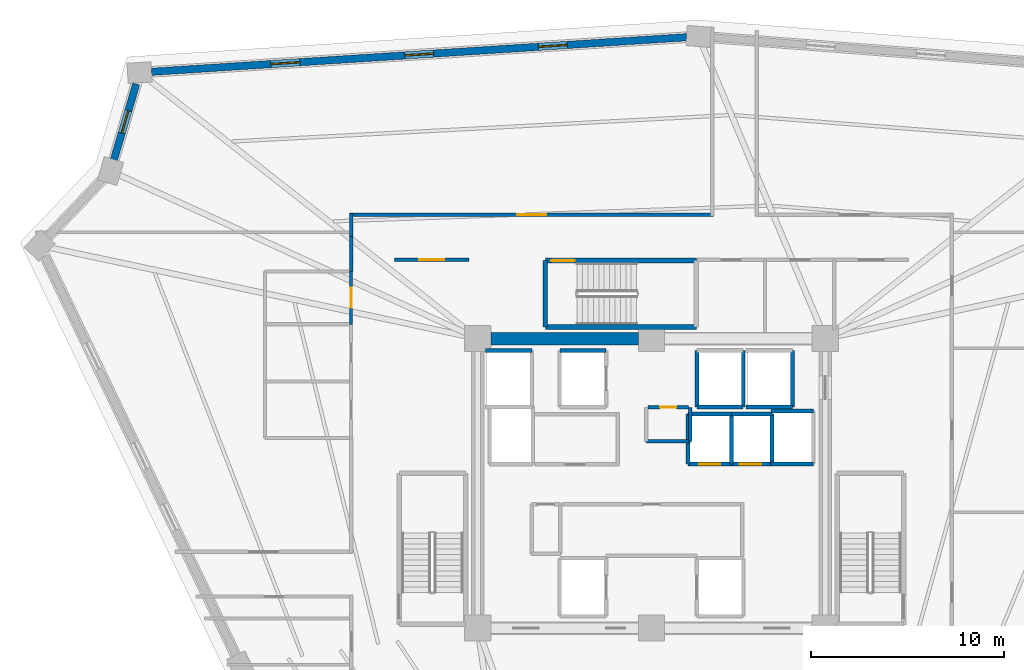
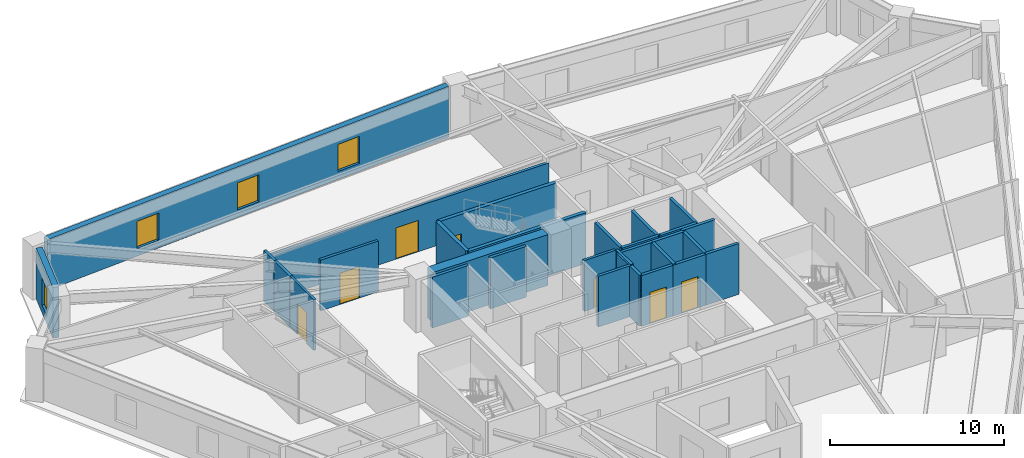
# One storey, part 5 of 8: 30 walls, 7 doors, 4 windows, 11 openings.
"""IFC4 building model written with IfcOpenShell, lengths in metres."""

import ifcopenshell
import ifcopenshell.guid

model = None  # the IFC model being written
_history = None  # IfcOwnerHistory: only IFC2X3 demands one
_inside = {}  # id of a spatial element -> (the spatial element, [elements in it])
_under = {}  # id of a project, library or spatial element -> (it, [spatial elements below it])
_declared = {}  # id of a project -> (the project, [libraries it declares])
_typed = {}  # id of a type object -> (the type object, [elements of that type])
_made_of = {}  # id of a material, layer set ... -> (it, [elements and type objects made of it])


def new_model(schema):
    """Start an empty IFC model of exactly this schema.

    Asked for "IFC4X3", IfcOpenShell would pick the latest addendum, in which some entities
    have other attributes; the version numbers below select the first issue.
    IFC2X3 requires an IfcOwnerHistory on every rooted entity: one is made here for all.
    """
    global model, _history
    if schema == "IFC4X3":
        model = ifcopenshell.file(schema_version=(4, 3, 0, 0))
    else:
        model = ifcopenshell.file(schema=schema)
    _inside.clear()
    _under.clear()
    _declared.clear()
    _typed.clear()
    _made_of.clear()
    _history = None
    if model.schema == "IFC2X3":
        org = make("IfcOrganization", Name="unknown")
        user = make(
            "IfcPersonAndOrganization",
            ThePerson=make("IfcPerson", FamilyName="unknown"),
            TheOrganization=org,
        )
        app = make(
            "IfcApplication",
            ApplicationDeveloper=org,
            Version="unknown",
            ApplicationFullName="unknown",
            ApplicationIdentifier="unknown",
        )
        _history = make(
            "IfcOwnerHistory",
            OwningUser=user,
            OwningApplication=app,
            ChangeAction="ADDED",
            CreationDate=0,
        )
    return model


def make(cls, **values):
    """One entity of the class cls with the attributes given. An attribute that is None is left unset."""
    return model.create_entity(
        cls, **{name: value for name, value in values.items() if value is not None}
    )


def rooted(cls, **values):
    """An entity with a GlobalId (a new one), such as an element, a storey or a relation."""
    return make(cls, GlobalId=ifcopenshell.guid.new(), OwnerHistory=_history, **values)


def si_unit(unit_type, name, prefix=None):
    """IfcSIUnit, for example si_unit("LENGTHUNIT", "METRE", prefix="MILLI")."""
    return make("IfcSIUnit", UnitType=unit_type, Prefix=prefix, Name=name)


def assignment(units):
    """IfcUnitAssignment: the units of a project."""
    return None if units is None else make("IfcUnitAssignment", Units=units)


def point(xyz):
    """IfcCartesianPoint."""
    return None if xyz is None else make("IfcCartesianPoint", Coordinates=xyz)


def direction(xyz):
    """IfcDirection."""
    return None if xyz is None else make("IfcDirection", DirectionRatios=xyz)


def frame(location, z_axis=None, x_axis=None):
    """IfcAxis2Placement3D, a coordinate frame: its origin and axes. An axis left out is left unset."""
    return make(
        "IfcAxis2Placement3D",
        Location=point(location),
        Axis=direction(z_axis),
        RefDirection=direction(x_axis),
    )


def frame_2d(location, x_axis=None):
    """IfcAxis2Placement2D, a coordinate frame in the plane: its origin and x axis."""
    return make(
        "IfcAxis2Placement2D", Location=point(location), RefDirection=direction(x_axis)
    )


def origin():
    """The frame at (0, 0, 0) with its axes left unset."""
    return frame((0.0, 0.0, 0.0))


def place(relative_to, where):
    """IfcLocalPlacement: puts the frame where relative to a parent placement (None: the world)."""
    return make(
        "IfcLocalPlacement", PlacementRelTo=relative_to, RelativePlacement=where
    )


def context(
    kind, dimensions, precision=None, world=None, true_north=None, identifier=None
):
    """IfcGeometricRepresentationContext, for example the 3D "Model" context."""
    return make(
        "IfcGeometricRepresentationContext",
        ContextIdentifier=identifier,
        ContextType=kind,
        CoordinateSpaceDimension=dimensions,
        Precision=precision,
        WorldCoordinateSystem=world,
        TrueNorth=true_north,
    )


def subcontext(parent, identifier, kind, view, scale=None):
    """IfcGeometricRepresentationSubContext, for example "Body" below "Model"."""
    return make(
        "IfcGeometricRepresentationSubContext",
        ContextIdentifier=identifier,
        ContextType=kind,
        ParentContext=parent,
        TargetScale=scale,
        TargetView=view,
    )


def project(units=None, contexts=None):
    """IfcProject with its units and contexts."""
    return rooted(
        "IfcProject",
        Name="project",
        RepresentationContexts=contexts,
        UnitsInContext=assignment(units),
    )


def spatial(cls, under=None, at=None, **own):
    """A site, building, storey or space (cls), placed at a placement, below another one or the project."""
    s = rooted(cls, ObjectPlacement=at, **own)
    if under is not None:
        _under.setdefault(under.id(), (under, []))[1].append(s)
    return s


def profile(cls, at=None, kind="AREA", **sizes):
    """A parametric profile (cls). Its sizes go by their IFC names, for example OverallWidth=200.0."""
    return make(cls, ProfileType=kind, Position=at, **sizes)


def rectangle(**sizes):
    """IfcRectangleProfileDef."""
    return profile("IfcRectangleProfileDef", **sizes)


def extrude(swept, where, along, depth):
    """IfcExtrudedAreaSolid: the profile swept, set in the frame where, extruded along a direction by depth."""
    return make(
        "IfcExtrudedAreaSolid",
        SweptArea=swept,
        Position=where,
        ExtrudedDirection=direction(along),
        Depth=depth,
    )


def shape(context_of_items, identifier, shape_type, items):
    """IfcShapeRepresentation: the items that make up one representation, for example the "Body"."""
    return make(
        "IfcShapeRepresentation",
        ContextOfItems=context_of_items,
        RepresentationIdentifier=identifier,
        RepresentationType=shape_type,
        Items=items,
    )


def source(mapping_origin, context_of_items, identifier, shape_type, items):
    """IfcRepresentationMap: a shape defined once, which mapped items show again and again."""
    return make(
        "IfcRepresentationMap",
        MappingOrigin=mapping_origin,
        MappedRepresentation=shape(context_of_items, identifier, shape_type, items),
    )


def transform(
    local_origin,
    x_axis=None,
    y_axis=None,
    z_axis=None,
    scale=None,
    scale2=None,
    scale3=None,
    uniform=True,
):
    """IfcCartesianTransformationOperator3D, or its non-uniform kind. x_axis, y_axis, z_axis: its Axis1, 2, 3."""
    if uniform:
        return make(
            "IfcCartesianTransformationOperator3D",
            Axis1=direction(x_axis),
            Axis2=direction(y_axis),
            LocalOrigin=point(local_origin),
            Scale=scale,
            Axis3=direction(z_axis),
        )
    return make(
        "IfcCartesianTransformationOperator3DnonUniform",
        Axis1=direction(x_axis),
        Axis2=direction(y_axis),
        LocalOrigin=point(local_origin),
        Scale=scale,
        Axis3=direction(z_axis),
        Scale2=scale2,
        Scale3=scale3,
    )


def mapped(mapping_source, mapping_target):
    """IfcMappedItem: shows the shape of a source again, moved by a transform."""
    return make(
        "IfcMappedItem", MappingSource=mapping_source, MappingTarget=mapping_target
    )


def material(Name=None, Category=None):
    """IfcMaterial."""
    return make("IfcMaterial", Name=Name, Category=Category)


def layer(
    of_material, thickness, ventilated=None, Name=None, Category=None, Priority=None
):
    """IfcMaterialLayer: one layer of a wall or slab, of a material (None: an air gap)."""
    return make(
        "IfcMaterialLayer",
        Material=of_material,
        LayerThickness=thickness,
        IsVentilated=ventilated,
        Name=Name,
        Category=Category,
        Priority=Priority,
    )


def layer_set(layers, Name=None):
    """IfcMaterialLayerSet."""
    return make("IfcMaterialLayerSet", MaterialLayers=layers, LayerSetName=Name)


def made_of(thing, what):
    """Note that an element or type object is made of a material, layer set ...; save() writes the relation."""
    if what is not None:
        _made_of.setdefault(what.id(), (what, []))[1].append(thing)
    return thing


def type_object(cls, material=None, **own):
    """A type object (cls), such as IfcWallType, which elements share."""
    return made_of(rooted(cls, **own), material)


def element(
    cls,
    number,
    at=None,
    inside=None,
    cuts=None,
    type_object=None,
    material=None,
    context=None,
    identifier="Body",
    shape_type=None,
    held_by="IfcProductDefinitionShape",
    body=None,
    shapes=None,
    **own,
):
    """One element of the class cls, such as IfcWall. Its Tag is "e" and its number.

    at: its placement. inside: the storey or other place that contains it. cuts: it is an
    opening in that element (IfcRelVoidsElement). A single representation is given by context,
    identifier, shape_type and body (its items); several are given by shapes. held_by: the class
    of the entity that holds the representations. save() writes the other relations.
    """
    e = rooted(cls, Tag="e%d" % number, ObjectPlacement=at, **own)
    if body is not None:
        shapes = [shape(context, identifier, shape_type, body)]
    if shapes is not None:
        e.Representation = make(held_by, Representations=shapes)
    if inside is not None:
        _inside.setdefault(inside.id(), (inside, []))[1].append(e)
    if cuts is not None:
        rooted(
            "IfcRelVoidsElement", RelatingBuildingElement=cuts, RelatedOpeningElement=e
        )
    if type_object is not None:
        _typed.setdefault(type_object.id(), (type_object, []))[1].append(e)
    return made_of(e, material)


def fill(opening, filler):
    """IfcRelFillsElement: the door or window that sits in an opening."""
    return rooted(
        "IfcRelFillsElement",
        RelatingOpeningElement=opening,
        RelatedBuildingElement=filler,
    )


def aggregate(whole, parts):
    """IfcRelAggregates: a whole, such as a stair, and the parts it consists of."""
    return rooted("IfcRelAggregates", RelatingObject=whole, RelatedObjects=parts)


def save(model, path):
    """Write the relations noted so far, then the file.

    IfcRelAggregates (storeys below a building ...), IfcRelContainedInSpatialStructure (elements
    in a storey), IfcRelDefinesByType, IfcRelAssociatesMaterial and IfcRelDeclares: one each for
    every whole, place, type object, material and project.
    """
    for whole, parts in _under.values():
        aggregate(whole, parts)
    for where, things in _inside.values():
        rooted(
            "IfcRelContainedInSpatialStructure",
            RelatedElements=things,
            RelatingStructure=where,
        )
    for kind, things in _typed.values():
        rooted("IfcRelDefinesByType", RelatedObjects=things, RelatingType=kind)
    for what, things in _made_of.values():
        rooted("IfcRelAssociatesMaterial", RelatedObjects=things, RelatingMaterial=what)
    for by, libraries in _declared.values():
        rooted("IfcRelDeclares", RelatingContext=by, RelatedDefinitions=libraries)
    model.write(path)


model = new_model("IFC4")

# Units and contexts
model_context = context("Model", 3, precision=1e-05, world=origin(), true_north=direction((0.0, 1.0)))
body_context = subcontext(model_context, "Body", "Model", "MODEL_VIEW")
ifc_project = project(units=[si_unit("LENGTHUNIT", "METRE"), si_unit("AREAUNIT", "SQUARE_METRE"), si_unit("VOLUMEUNIT", "CUBIC_METRE"), si_unit("PLANEANGLEUNIT", "RADIAN"), si_unit("MASSUNIT", "GRAM", prefix="KILO")], contexts=[model_context])

# Site, building, storey
site_placement = place(None, origin())
site = spatial("IfcSite", under=ifc_project, at=site_placement, CompositionType="ELEMENT")
building_placement = place(site_placement, origin())
building = spatial("IfcBuilding", under=site, at=building_placement, Name="Liaohun Quay Tower", CompositionType="ELEMENT")
storey_placement = place(building_placement, frame((0.0, 0.0, 262.5)))
storey = spatial("IfcBuildingStorey", under=building, at=storey_placement, Name="L68", CompositionType="ELEMENT", Elevation=262.5)

# Wall
ifc_material_1 = material(Name="Concrete C55", Category="concrete")
ifc_layer_1 = layer(ifc_material_1, 0.64990234375, Name="Concrete C55", Category="concrete")
ifc_layer_set_1 = layer_set([ifc_layer_1], Name="Concrete C55")
wall_type_1 = type_object("IfcWallType", Name="WAL-COR-Z3", PredefinedType="SHEAR", material=ifc_layer_set_1)
wall_1_placement = place(storey_placement, frame((51.675048828125, 61.5, 0.0), z_axis=(0.0, 0.0, 1.0), x_axis=(1.0, 0.0, 0.0)))
element("IfcWall", 1, at=wall_1_placement, inside=storey, type_object=wall_type_1, Name="L68 Central Core Shear Wall N-W", PredefinedType="SHEAR", context=body_context, shape_type="SweptSolid", body=[
    extrude(rectangle(XDim=7.64990234375, YDim=0.64990234375, at=frame_2d((3.824951171875, 0.0))), origin(), (0.0, 0.0, 1.0), 3.570068359375),
])

# Wall, openings, windows
ifc_material_2 = material(Name="Precast concrete C50 insulated sandwich", Category="concrete")
ifc_layer_2 = layer(ifc_material_2, 0.3798828125, Name="Precast concrete C50 insulated sandwich", Category="concrete")
ifc_layer_set_2 = layer_set([ifc_layer_2], Name="Precast concrete C50 insulated sandwich")
wall_type_2 = type_object("IfcWallType", Name="WAL-EXT-Z34", PredefinedType="SOLIDWALL", material=ifc_layer_set_2)
wall_2_placement = place(storey_placement, frame((61.824951171875, 77.10791015625, 0.0), z_axis=(0.0, 0.0, 1.0), x_axis=(-0.997917689191, -0.064500275963, 0.0)))
wall_2 = element("IfcWall", 2, at=wall_2_placement, inside=storey, type_object=wall_type_2, Name="L68 Brutalist Precast Pier Wall 07", PredefinedType="SOLIDWALL", context=body_context, shape_type="SweptSolid", body=[
    extrude(rectangle(XDim=27.78271484375, YDim=0.3798828125, at=frame_2d((13.891357421875, 0.0))), origin(), (0.0, 0.0, 1.0), 3.570068359375),
])
shared_shape_1 = source(origin(), body_context, "Body", "SweptSolid", [
    extrude(rectangle(XDim=1.5, YDim=1.89990234375, at=frame_2d((0.75, 0.949951171875))), frame((0.0, 0.199951171875, 0.0), z_axis=(0.0, -1.0, 0.0), x_axis=(1.0, 0.0, 0.0)), (0.0, 0.0, 1.0), 0.39990234375),
])
opening_1_placement = place(wall_2_placement, frame((6.196044921875, 0.0, 0.550048828125)))
opening_1 = element("IfcOpeningElement", 3, at=opening_1_placement, cuts=wall_2, Name="Opening W03", PredefinedType="OPENING", context=body_context, shape_type="MappedRepresentation", body=[
    mapped(shared_shape_1, transform((0.0, 0.0, 0.0), x_axis=(1.0, 0.0, 0.0), y_axis=(0.0, 1.0, 0.0), z_axis=(0.0, 0.0, 1.0), scale=1.0)),
])
opening_2_placement = place(wall_2_placement, frame((13.14111328125, 0.0, 0.550048828125)))
opening_2 = element("IfcOpeningElement", 4, at=opening_2_placement, cuts=wall_2, Name="Opening W03", PredefinedType="OPENING", context=body_context, shape_type="MappedRepresentation", body=[
    mapped(shared_shape_1, transform((0.0, 0.0, 0.0), x_axis=(1.0, 0.0, 0.0), y_axis=(0.0, 1.0, 0.0), z_axis=(0.0, 0.0, 1.0), scale=1.0)),
])
opening_3_placement = place(wall_2_placement, frame((20.0869140625, 0.0, 0.550048828125)))
opening_3 = element("IfcOpeningElement", 5, at=opening_3_placement, cuts=wall_2, Name="Opening W03", PredefinedType="OPENING", context=body_context, shape_type="MappedRepresentation", body=[
    mapped(shared_shape_1, transform((0.0, 0.0, 0.0), x_axis=(1.0, 0.0, 0.0), y_axis=(0.0, 1.0, 0.0), z_axis=(0.0, 0.0, 1.0), scale=1.0)),
])
ifc_material_3 = material(Name="Triple Low-E argon glazing in thermally broken aluminium", Category="aluminium")
window_type_1 = type_object("IfcWindowType", Name="WIN-PUN-Z3", PartitioningType="DOUBLE_PANEL_VERTICAL", PredefinedType="WINDOW", material=ifc_material_3)
shared_shape_2 = source(origin(), body_context, "Body", "SweptSolid", [
    extrude(rectangle(XDim=1.5, YDim=1.89990234375, at=frame_2d((0.75, 0.949951171875))), frame((0.0, 0.030029296875, 0.0), z_axis=(0.0, -1.0, 0.0), x_axis=(1.0, 0.0, 0.0)), (0.0, 0.0, 1.0), 0.06005859375),
])
window_1_placement = place(opening_1_placement, origin())
window_1 = element("IfcWindow", 6, at=window_1_placement, inside=storey, type_object=window_type_1, Name="L68 Recessed Cold-Climate Punched Window 07-1", OverallHeight=1.89990234375, OverallWidth=1.5, PartitioningType="DOUBLE_PANEL_VERTICAL", PredefinedType="WINDOW", context=body_context, shape_type="MappedRepresentation", body=[
    mapped(shared_shape_2, transform((0.0, 0.0, 0.0), x_axis=(1.0, 0.0, 0.0), y_axis=(0.0, 1.0, 0.0), z_axis=(0.0, 0.0, 1.0), scale=1.0)),
])
fill(opening_1, window_1)
window_2_placement = place(opening_2_placement, origin())
window_2 = element("IfcWindow", 7, at=window_2_placement, inside=storey, type_object=window_type_1, Name="L68 Recessed Cold-Climate Punched Window 07-2", OverallHeight=1.89990234375, OverallWidth=1.5, PartitioningType="DOUBLE_PANEL_VERTICAL", PredefinedType="WINDOW", context=body_context, shape_type="MappedRepresentation", body=[
    mapped(shared_shape_2, transform((0.0, 0.0, 0.0), x_axis=(1.0, 0.0, 0.0), y_axis=(0.0, 1.0, 0.0), z_axis=(0.0, 0.0, 1.0), scale=1.0)),
])
fill(opening_2, window_2)
window_3_placement = place(opening_3_placement, origin())
window_3 = element("IfcWindow", 8, at=window_3_placement, inside=storey, type_object=window_type_1, Name="L68 Recessed Cold-Climate Punched Window 07-3", OverallHeight=1.89990234375, OverallWidth=1.5, PartitioningType="DOUBLE_PANEL_VERTICAL", PredefinedType="WINDOW", context=body_context, shape_type="MappedRepresentation", body=[
    mapped(shared_shape_2, transform((0.0, 0.0, 0.0), x_axis=(1.0, 0.0, 0.0), y_axis=(0.0, 1.0, 0.0), z_axis=(0.0, 0.0, 1.0), scale=1.0)),
])
fill(opening_3, window_3)

# Wall, opening, window
wall_3_placement = place(storey_placement, frame((33.31201171875, 74.68603515625, 0.0), z_axis=(0.0, 0.0, 1.0), x_axis=(-0.282641755903, -0.959225540642, 0.0)))
wall_3 = element("IfcWall", 9, at=wall_3_placement, inside=storey, type_object=wall_type_2, Name="L68 Brutalist Precast Pier Wall 08", PredefinedType="SOLIDWALL", context=body_context, shape_type="SweptSolid", body=[
    extrude(rectangle(XDim=4.086669921875, YDim=0.3798828125, at=frame_2d((2.04345703125, 0.0))), origin(), (0.0, 0.0, 1.0), 3.570068359375),
])
shared_shape_3 = source(origin(), body_context, "Body", "SweptSolid", [
    extrude(rectangle(XDim=1.199951171875, YDim=1.89990234375, at=frame_2d((0.60009765625, 0.949951171875))), frame((0.0, 0.199951171875, 0.0), z_axis=(0.0, -1.0, 0.0), x_axis=(1.0, 0.0, 0.0)), (0.0, 0.0, 1.0), 0.39990234375),
])
opening_4_placement = place(wall_3_placement, frame((1.443115234375, 0.0, 0.550048828125)))
opening_4 = element("IfcOpeningElement", 10, at=opening_4_placement, cuts=wall_3, Name="Opening W05", PredefinedType="OPENING", context=body_context, shape_type="MappedRepresentation", body=[
    mapped(shared_shape_3, transform((0.0, 0.0, 0.0), x_axis=(1.0, 0.0, 0.0), y_axis=(0.0, 1.0, 0.0), z_axis=(0.0, 0.0, 1.0), scale=1.0)),
])
ifc_material_4 = material(Name="Triple Low-E corner notch glazing", Category="glass")
window_type_2 = type_object("IfcWindowType", Name="WIN-NOTCH", PartitioningType="SINGLE_PANEL", PredefinedType="WINDOW", material=ifc_material_4)
shared_shape_4 = source(origin(), body_context, "Body", "SweptSolid", [
    extrude(rectangle(XDim=1.199951171875, YDim=1.89990234375, at=frame_2d((0.60009765625, 0.949951171875))), frame((0.0, 0.030029296875, 0.0), z_axis=(0.0, -1.0, 0.0), x_axis=(1.0, 0.0, 0.0)), (0.0, 0.0, 1.0), 0.06005859375),
])
window_4_placement = place(opening_4_placement, origin())
window_4 = element("IfcWindow", 11, at=window_4_placement, inside=storey, type_object=window_type_2, Name="L68 Corner Notch Window W05-08", OverallHeight=1.89990234375, OverallWidth=1.199951171875, PartitioningType="SINGLE_PANEL", PredefinedType="WINDOW", context=body_context, shape_type="MappedRepresentation", body=[
    mapped(shared_shape_4, transform((0.0, 0.0, 0.0), x_axis=(1.0, 0.0, 0.0), y_axis=(0.0, 1.0, 0.0), z_axis=(0.0, 0.0, 1.0), scale=1.0)),
])
fill(opening_4, window_4)

# Wall, opening, door
ifc_material_5 = material(Name="Autoclaved aerated concrete blockwork", Category="masonry")
ifc_layer_3 = layer(ifc_material_5, 0.179931640625, Name="Autoclaved aerated concrete blockwork", Category="masonry")
ifc_layer_set_3 = layer_set([ifc_layer_3], Name="Autoclaved aerated concrete blockwork")
wall_type_3 = type_object("IfcWallType", Name="WAL-PRT-COR", PredefinedType="PARTITIONING", material=ifc_layer_set_3)
wall_4_placement = place(storey_placement, frame((59.81005859375, 57.949951171875, 0.0), z_axis=(0.0, 0.0, 1.0), x_axis=(1.0, 0.0, 0.0)))
wall_4 = element("IfcWall", 12, at=wall_4_placement, inside=storey, type_object=wall_type_3, Name="L68 Interior Partition Wall 003", PredefinedType="PARTITIONING", context=body_context, shape_type="SweptSolid", body=[
    extrude(rectangle(XDim=2.10986328125, YDim=0.179931640625, at=frame_2d((1.054931640625, 0.0))), origin(), (0.0, 0.0, 1.0), 3.570068359375),
])
shared_shape_5 = source(origin(), body_context, "Body", "SweptSolid", [
    extrude(rectangle(XDim=0.85009765625, YDim=2.10009765625, at=frame_2d((0.425048828125, 1.050048828125))), frame((0.0, 0.099853515625, 0.0), z_axis=(0.0, -1.0, 0.0), x_axis=(1.0, 0.0, 0.0)), (0.0, 0.0, 1.0), 0.199951171875),
])
opening_5_placement = place(wall_4_placement, frame((0.635009765625, 0.0, 0.0)))
opening_5 = element("IfcOpeningElement", 13, at=opening_5_placement, cuts=wall_4, Name="Opening AD1", PredefinedType="OPENING", context=body_context, shape_type="MappedRepresentation", body=[
    mapped(shared_shape_5, transform((0.0, 0.0, 0.0), x_axis=(1.0, 0.0, 0.0), y_axis=(0.0, 1.0, 0.0), z_axis=(0.0, 0.0, 1.0), scale=1.0)),
])
ifc_material_6 = material(Name="Steel riser inspection fire door", Category="steel")
door_type_1 = type_object("IfcDoorType", Name="DOR-SHF-850", OperationType="NOTDEFINED", PredefinedType="DOOR", material=ifc_material_6)
shared_shape_6 = source(origin(), body_context, "Body", "SweptSolid", [
    extrude(rectangle(XDim=0.85009765625, YDim=2.10009765625, at=frame_2d((0.425048828125, 1.050048828125))), frame((0.0, 0.02490234375, 0.0), z_axis=(0.0, -1.0, 0.0), x_axis=(1.0, 0.0, 0.0)), (0.0, 0.0, 1.0), 0.050048828125),
])
door_1_placement = place(opening_5_placement, origin())
door_1 = element("IfcDoor", 14, at=door_1_placement, inside=storey, type_object=door_type_1, Name="L68 Core Janitor and Cleaner Store Door", OperationType="SINGLE_SWING_LEFT", OverallHeight=2.10009765625, OverallWidth=0.85009765625, PredefinedType="DOOR", context=body_context, shape_type="MappedRepresentation", body=[
    mapped(shared_shape_6, transform((0.0, 0.0, 0.0), x_axis=(1.0, 0.0, 0.0), y_axis=(0.0, 1.0, 0.0), z_axis=(0.0, 0.0, 1.0), scale=1.0)),
])
fill(opening_5, door_1)

wall_5_placement = place(storey_placement, frame((46.699951171875, 65.580078125, 0.0), z_axis=(0.0, 0.0, 1.0), x_axis=(1.0, 0.0, 0.0)))
wall_5 = element("IfcWall", 15, at=wall_5_placement, inside=storey, type_object=wall_type_3, Name="L68 Interior Partition Wall 010", PredefinedType="PARTITIONING", context=body_context, shape_type="SweptSolid", body=[
    extrude(rectangle(XDim=3.840087890625, YDim=0.179931640625, at=frame_2d((1.919921875, 0.0))), origin(), (0.0, 0.0, 1.0), 3.570068359375),
])
shared_shape_7 = source(origin(), body_context, "Body", "SweptSolid", [
    extrude(rectangle(XDim=1.300048828125, YDim=2.199951171875, at=frame_2d((0.64990234375, 1.10009765625))), frame((0.0, 0.099853515625, 0.0), z_axis=(0.0, -1.0, 0.0), x_axis=(1.0, 0.0, 0.0)), (0.0, 0.0, 1.0), 0.199951171875),
])
opening_6_placement = place(wall_5_placement, frame((1.27001953125, 0.0, 0.0)))
opening_6 = element("IfcOpeningElement", 16, at=opening_6_placement, cuts=wall_5, Name="Opening FD1", PredefinedType="OPENING", context=body_context, shape_type="MappedRepresentation", body=[
    mapped(shared_shape_7, transform((0.0, 0.0, 0.0), x_axis=(1.0, 0.0, 0.0), y_axis=(0.0, 1.0, 0.0), z_axis=(0.0, 0.0, 1.0), scale=1.0)),
])
ifc_material_7 = material(Name="Galvanised steel smokeproof fire door", Category="steel")
door_type_2 = type_object("IfcDoorType", Name="DOR-FFL-1300", OperationType="NOTDEFINED", PredefinedType="DOOR", material=ifc_material_7)
shared_shape_8 = source(origin(), body_context, "Body", "SweptSolid", [
    extrude(rectangle(XDim=1.300048828125, YDim=2.199951171875, at=frame_2d((0.64990234375, 1.10009765625))), frame((0.0, 0.02490234375, 0.0), z_axis=(0.0, -1.0, 0.0), x_axis=(1.0, 0.0, 0.0)), (0.0, 0.0, 1.0), 0.050048828125),
])
door_2_placement = place(opening_6_placement, origin())
door_2 = element("IfcDoor", 17, at=door_2_placement, inside=storey, type_object=door_type_2, Name="L68 West Core Vestibule Door", OperationType="SINGLE_SWING_RIGHT", OverallHeight=2.199951171875, OverallWidth=1.300048828125, PredefinedType="DOOR", context=body_context, shape_type="MappedRepresentation", body=[
    mapped(shared_shape_8, transform((0.0, 0.0, 0.0), x_axis=(1.0, 0.0, 0.0), y_axis=(0.0, 1.0, 0.0), z_axis=(0.0, 0.0, 1.0), scale=1.0)),
])
fill(opening_6, door_2)

wall_6_placement = place(storey_placement, frame((44.3701171875, 67.909912109375, 0.0), z_axis=(0.0, 0.0, 1.0), x_axis=(1.0, 0.0, 0.0)))
wall_6 = element("IfcWall", 18, at=wall_6_placement, inside=storey, type_object=wall_type_3, Name="L68 Interior Partition Wall 015", PredefinedType="PARTITIONING", context=body_context, shape_type="SweptSolid", body=[
    extrude(rectangle(XDim=18.83984375, YDim=0.179931640625, at=frame_2d((9.419921875, 0.0))), origin(), (0.0, 0.0, 1.0), 3.205078125),
])
shared_shape_9 = source(origin(), body_context, "Body", "SweptSolid", [
    extrude(rectangle(XDim=1.5, YDim=2.199951171875, at=frame_2d((0.75, 1.10009765625))), frame((0.0, 0.099853515625, 0.0), z_axis=(0.0, -1.0, 0.0), x_axis=(1.0, 0.0, 0.0)), (0.0, 0.0, 1.0), 0.199951171875),
])
opening_7_placement = place(wall_6_placement, frame((8.669921875, 0.0, 0.0)))
opening_7 = element("IfcOpeningElement", 19, at=opening_7_placement, cuts=wall_6, Name="Opening OD2", PredefinedType="OPENING", context=body_context, shape_type="MappedRepresentation", body=[
    mapped(shared_shape_9, transform((0.0, 0.0, 0.0), x_axis=(1.0, 0.0, 0.0), y_axis=(0.0, 1.0, 0.0), z_axis=(0.0, 0.0, 1.0), scale=1.0)),
])
ifc_material_8 = material(Name="Acoustic oak veneer double door")
door_type_3 = type_object("IfcDoorType", Name="DOR-OFF-1500", OperationType="DOUBLE_DOOR_SINGLE_SWING", PredefinedType="DOOR", material=ifc_material_8)
shared_shape_10 = source(origin(), body_context, "Body", "SweptSolid", [
    extrude(rectangle(XDim=1.5, YDim=2.199951171875, at=frame_2d((0.75, 1.10009765625))), frame((0.0, 0.02490234375, 0.0), z_axis=(0.0, -1.0, 0.0), x_axis=(1.0, 0.0, 0.0)), (0.0, 0.0, 1.0), 0.050048828125),
])
door_3_placement = place(opening_7_placement, origin())
door_3 = element("IfcDoor", 20, at=door_3_placement, inside=storey, type_object=door_type_3, Name="L68 Project Collaboration Studio 04 Door", OperationType="DOUBLE_DOOR_SINGLE_SWING", OverallHeight=2.199951171875, OverallWidth=1.5, PredefinedType="DOOR", context=body_context, shape_type="MappedRepresentation", body=[
    mapped(shared_shape_10, transform((0.0, 0.0, 0.0), x_axis=(1.0, 0.0, 0.0), y_axis=(0.0, 1.0, 0.0), z_axis=(0.0, 0.0, 1.0), scale=1.0)),
])
fill(opening_7, door_3)

# Walls
wall_7_placement = place(storey_placement, frame((62.010009765625, 56.179931640625, 0.0), z_axis=(0.0, 0.0, 1.0), x_axis=(0.0, 1.0, 0.0)))
element("IfcWall", 21, at=wall_7_placement, inside=storey, type_object=wall_type_3, Name="L68 Interior Partition Wall 022", PredefinedType="PARTITIONING", context=body_context, shape_type="SweptSolid", body=[
    extrude(rectangle(XDim=1.739990234375, YDim=0.179931640625, at=frame_2d((0.8701171875, 0.0))), origin(), (0.0, 0.0, 1.0), 3.570068359375),
])
wall_8_placement = place(storey_placement, frame((59.719970703125, 56.179931640625, 0.0), z_axis=(0.0, 0.0, 1.0), x_axis=(1.0, 0.0, 0.0)))
element("IfcWall", 22, at=wall_8_placement, inside=storey, type_object=wall_type_3, Name="L68 Interior Partition Wall 023", PredefinedType="PARTITIONING", context=body_context, shape_type="SweptSolid", body=[
    extrude(rectangle(XDim=2.2900390625, YDim=0.179931640625, at=frame_2d((1.14501953125, 0.0))), origin(), (0.0, 0.0, 1.0), 3.570068359375),
])
wall_9_placement = place(storey_placement, frame((44.43994140625, 66.784912109375, 0.0), z_axis=(0.0, 0.0, 1.0), x_axis=(0.0, 1.0, 0.0)))
element("IfcWall", 23, at=wall_9_placement, inside=storey, type_object=wall_type_3, Name="L68 Interior Partition Wall 037", PredefinedType="PARTITIONING", context=body_context, shape_type="SweptSolid", body=[
    extrude(rectangle(XDim=1.195068359375, YDim=0.179931640625, at=frame_2d((0.59765625, 0.0))), origin(), (0.0, 0.0, 1.0), 3.570068359375),
])
wall_10_placement = place(storey_placement, frame((44.43994140625, 64.97998046875, 0.0), z_axis=(0.0, 0.0, 1.0), x_axis=(0.0, 1.0, 0.0)))
element("IfcWall", 24, at=wall_10_placement, inside=storey, type_object=wall_type_3, Name="L68 Interior Partition Wall 039", PredefinedType="PARTITIONING", context=body_context, shape_type="SweptSolid", body=[
    extrude(rectangle(XDim=1.804931640625, YDim=0.179931640625, at=frame_2d((0.90234375, 0.0))), origin(), (0.0, 0.0, 1.0), 3.570068359375),
])

# Wall, opening, door
ifc_material_9 = material(Name="Moisture-resistant masonry blockwork", Category="masonry")
ifc_layer_4 = layer(ifc_material_9, 0.159912109375, Name="Moisture-resistant masonry blockwork", Category="masonry")
ifc_layer_set_4 = layer_set([ifc_layer_4], Name="Moisture-resistant masonry blockwork")
wall_type_4 = type_object("IfcWallType", Name="WAL-PRT-WET", PredefinedType="PARTITIONING", material=ifc_layer_set_4)
wall_11_placement = place(storey_placement, frame((44.43994140625, 62.239990234375, 0.0), z_axis=(0.0, 0.0, 1.0), x_axis=(0.0, 1.0, 0.0)))
wall_11 = element("IfcWall", 25, at=wall_11_placement, inside=storey, type_object=wall_type_4, Name="L68 Interior Partition Wall 007", PredefinedType="PARTITIONING", context=body_context, shape_type="SweptSolid", body=[
    extrude(rectangle(XDim=2.739990234375, YDim=0.159912109375, at=frame_2d((1.3701171875, 0.0))), origin(), (0.0, 0.0, 1.0), 3.570068359375),
])
shared_shape_11 = source(origin(), body_context, "Body", "SweptSolid", [
    extrude(rectangle(XDim=1.050048828125, YDim=2.14990234375, at=frame_2d((0.52490234375, 1.074951171875))), frame((0.0, 0.08984375, 0.0), z_axis=(0.0, -1.0, 0.0), x_axis=(1.0, 0.0, 0.0)), (0.0, 0.0, 1.0), 0.179931640625),
])
opening_8_placement = place(wall_11_placement, frame((0.844970703125, 0.0, 0.0)))
opening_8 = element("IfcOpeningElement", 26, at=opening_8_placement, cuts=wall_11, Name="Opening WD2", PredefinedType="OPENING", context=body_context, shape_type="MappedRepresentation", body=[
    mapped(shared_shape_11, transform((0.0, 0.0, 0.0), x_axis=(1.0, 0.0, 0.0), y_axis=(0.0, 1.0, 0.0), z_axis=(0.0, 0.0, 1.0), scale=1.0)),
])
ifc_material_10 = material(Name="Accessible outward-swinging laminate door")
door_type_4 = type_object("IfcDoorType", Name="DOR-AWC-1050", OperationType="NOTDEFINED", PredefinedType="DOOR", material=ifc_material_10)
shared_shape_12 = source(origin(), body_context, "Body", "SweptSolid", [
    extrude(rectangle(XDim=1.050048828125, YDim=2.14990234375, at=frame_2d((0.52490234375, 1.074951171875))), frame((0.0, 0.02490234375, 0.0), z_axis=(0.0, -1.0, 0.0), x_axis=(1.0, 0.0, 0.0)), (0.0, 0.0, 1.0), 0.050048828125),
])
door_4_placement = place(opening_8_placement, origin())
door_4 = element("IfcDoor", 27, at=door_4_placement, inside=storey, type_object=door_type_4, Name="L68 Accessible WC Door", OperationType="SINGLE_SWING_LEFT", OverallHeight=2.14990234375, OverallWidth=1.050048828125, PredefinedType="DOOR", context=body_context, shape_type="MappedRepresentation", body=[
    mapped(shared_shape_12, transform((0.0, 0.0, 0.0), x_axis=(1.0, 0.0, 0.0), y_axis=(0.0, 1.0, 0.0), z_axis=(0.0, 0.0, 1.0), scale=1.0)),
])
fill(opening_8, door_4)

# Wall
ifc_material_11 = material(Name="Concrete C50", Category="concrete")
ifc_layer_5 = layer(ifc_material_11, 0.239990234375, Name="Concrete C50", Category="concrete")
ifc_layer_set_5 = layer_set([ifc_layer_5], Name="Concrete C50")
wall_type_5 = type_object("IfcWallType", Name="WAL-SHF-200", PredefinedType="SOLIDWALL", material=ifc_layer_set_5)
wall_12_placement = place(storey_placement, frame((54.5, 62.10009765625, 0.0), z_axis=(0.0, 0.0, 1.0), x_axis=(1.0, 0.0, 0.0)))
element("IfcWall", 28, at=wall_12_placement, inside=storey, type_object=wall_type_5, Name="L68 Stairwell ST-3 Structural Core Wall S", PredefinedType="SOLIDWALL", context=body_context, shape_type="SweptSolid", body=[
    extrude(rectangle(XDim=7.820068359375, YDim=0.239990234375, at=frame_2d((3.91015625, 0.0))), origin(), (0.0, 0.0, 1.0), 3.570068359375),
])

# Wall, opening, door
wall_13_placement = place(storey_placement, frame((62.320068359375, 65.5400390625, 0.0), z_axis=(0.0, 0.0, 1.0), x_axis=(-1.0, 0.0, 0.0)))
wall_13 = element("IfcWall", 29, at=wall_13_placement, inside=storey, type_object=wall_type_5, Name="L68 Stairwell ST-3 Structural Core Wall N", PredefinedType="SOLIDWALL", context=body_context, shape_type="SweptSolid", body=[
    extrude(rectangle(XDim=7.820068359375, YDim=0.239990234375, at=frame_2d((3.91015625, 0.0))), origin(), (0.0, 0.0, 1.0), 3.570068359375),
])
shared_shape_13 = source(origin(), body_context, "Body", "SweptSolid", [
    extrude(rectangle(XDim=1.199951171875, YDim=2.199951171875, at=frame_2d((0.60009765625, 1.10009765625))), frame((0.0, 0.1298828125, 0.0), z_axis=(0.0, -1.0, 0.0), x_axis=(1.0, 0.0, 0.0)), (0.0, 0.0, 1.0), 0.260009765625),
])
opening_9_placement = place(wall_13_placement, frame((6.300048828125, 0.0, 0.0)))
opening_9 = element("IfcOpeningElement", 30, at=opening_9_placement, cuts=wall_13, Name="Opening SD1", PredefinedType="OPENING", context=body_context, shape_type="MappedRepresentation", body=[
    mapped(shared_shape_13, transform((0.0, 0.0, 0.0), x_axis=(1.0, 0.0, 0.0), y_axis=(0.0, 1.0, 0.0), z_axis=(0.0, 0.0, 1.0), scale=1.0)),
])
ifc_material_12 = material(Name="Galvanised steel fire door", Category="steel")
door_type_5 = type_object("IfcDoorType", Name="DOR-STR-1200", OperationType="NOTDEFINED", PredefinedType="DOOR", material=ifc_material_12)
shared_shape_14 = source(origin(), body_context, "Body", "SweptSolid", [
    extrude(rectangle(XDim=1.199951171875, YDim=2.199951171875, at=frame_2d((0.60009765625, 1.10009765625))), frame((0.0, 0.02490234375, 0.0), z_axis=(0.0, -1.0, 0.0), x_axis=(1.0, 0.0, 0.0)), (0.0, 0.0, 1.0), 0.050048828125),
])
door_5_placement = place(opening_9_placement, origin())
door_5 = element("IfcDoor", 31, at=door_5_placement, inside=storey, type_object=door_type_5, Name="L68 Protected Stair ST-3 Fire Door", OperationType="SINGLE_SWING_RIGHT", OverallHeight=2.199951171875, OverallWidth=1.199951171875, PredefinedType="DOOR", context=body_context, shape_type="MappedRepresentation", body=[
    mapped(shared_shape_14, transform((0.0, 0.0, 0.0), x_axis=(1.0, 0.0, 0.0), y_axis=(0.0, 1.0, 0.0), z_axis=(0.0, 0.0, 1.0), scale=1.0)),
])
fill(opening_9, door_5)

# Walls
wall_14_placement = place(storey_placement, frame((54.5, 65.5400390625, 0.0), z_axis=(0.0, 0.0, 1.0), x_axis=(0.0, -1.0, 0.0)))
element("IfcWall", 32, at=wall_14_placement, inside=storey, type_object=wall_type_5, Name="L68 Stairwell ST-3 Structural Core Wall W", PredefinedType="SOLIDWALL", context=body_context, shape_type="SweptSolid", body=[
    extrude(rectangle(XDim=3.43994140625, YDim=0.239990234375, at=frame_2d((1.719970703125, 0.0))), origin(), (0.0, 0.0, 1.0), 3.570068359375),
])
for number, where, z_axis, x_axis, name in (
    (33, (57.64990234375, 60.8798828125, 0.0), (0.0, 0.0, 1.0), (-1.0, 0.0, 0.0), "L68 Lift FF-03 Hoistway Wall N"),
    (34, (62.35009765625, 57.949951171875, 0.0), (0.0, 0.0, 1.0), (1.0, 0.0, 0.0), "L68 Lift OB-01 Hoistway Wall S"),
):
    element("IfcWall", number, at=place(storey_placement, frame(where, z_axis=z_axis, x_axis=x_axis)), inside=storey, type_object=wall_type_5, Name=name, PredefinedType="SOLIDWALL", context=body_context, shape_type="SweptSolid", body=[
        extrude(rectangle(XDim=2.39990234375, YDim=0.199951171875, at=frame_2d((1.199951171875, 0.0))), origin(), (0.0, 0.0, 1.0), 3.570068359375),
    ])
for number, where, z_axis, x_axis, name in (
    (35, (64.75, 57.949951171875, 0.0), (0.0, 0.0, 1.0), (0.0, 1.0, 0.0), "L68 Lift OB-01 Hoistway Wall E"),
    (36, (62.35009765625, 60.8798828125, 0.0), (0.0, 0.0, 1.0), (0.0, -1.0, 0.0), "L68 Lift OB-01 Hoistway Wall W"),
):
    element("IfcWall", number, at=place(storey_placement, frame(where, z_axis=z_axis, x_axis=x_axis)), inside=storey, type_object=wall_type_5, Name=name, PredefinedType="SOLIDWALL", context=body_context, shape_type="SweptSolid", body=[
        extrude(rectangle(XDim=2.929931640625, YDim=0.199951171875, at=frame_2d((1.46484375, 0.0))), origin(), (0.0, 0.0, 1.0), 3.570068359375),
    ])
wall_15_placement = place(storey_placement, frame((64.89990234375, 57.949951171875, 0.0), z_axis=(0.0, 0.0, 1.0), x_axis=(1.0, 0.0, 0.0)))
element("IfcWall", 37, at=wall_15_placement, inside=storey, type_object=wall_type_5, Name="L68 Lift OB-02 Hoistway Wall S", PredefinedType="SOLIDWALL", context=body_context, shape_type="SweptSolid", body=[
    extrude(rectangle(XDim=2.400146484375, YDim=0.199951171875, at=frame_2d((1.2001953125, 0.0))), origin(), (0.0, 0.0, 1.0), 3.570068359375),
])
wall_16_placement = place(storey_placement, frame((67.300048828125, 57.949951171875, 0.0), z_axis=(0.0, 0.0, 1.0), x_axis=(0.0, 1.0, 0.0)))
element("IfcWall", 38, at=wall_16_placement, inside=storey, type_object=wall_type_5, Name="L68 Lift OB-02 Hoistway Wall E", PredefinedType="SOLIDWALL", context=body_context, shape_type="SweptSolid", body=[
    extrude(rectangle(XDim=2.929931640625, YDim=0.199951171875, at=frame_2d((1.46484375, 0.0))), origin(), (0.0, 0.0, 1.0), 3.570068359375),
])
wall_17_placement = place(storey_placement, frame((53.800048828125, 60.8798828125, 0.0), z_axis=(0.0, 0.0, 1.0), x_axis=(-1.0, 0.0, 0.0)))
element("IfcWall", 39, at=wall_17_placement, inside=storey, type_object=wall_type_5, Name="L68 Lift SH-01 Hoistway Wall N", PredefinedType="SOLIDWALL", context=body_context, shape_type="SweptSolid", body=[
    extrude(rectangle(XDim=2.400146484375, YDim=0.199951171875, at=frame_2d((1.2001953125, 0.0))), origin(), (0.0, 0.0, 1.0), 3.570068359375),
])
for number, where, z_axis, x_axis, name in (
    (40, (66.199951171875, 55.0, 0.0), (0.0, 0.0, 1.0), (1.0, 0.0, 0.0), "L68 Lift SH-03 Hoistway Wall S"),
    (41, (68.3798828125, 57.75, 0.0), (0.0, 0.0, 1.0), (-1.0, 0.0, 0.0), "L68 Lift SH-03 Hoistway Wall N"),
):
    element("IfcWall", number, at=place(storey_placement, frame(where, z_axis=z_axis, x_axis=x_axis)), inside=storey, type_object=wall_type_5, Name=name, PredefinedType="SOLIDWALL", context=body_context, shape_type="SweptSolid", body=[
        extrude(rectangle(XDim=2.179931640625, YDim=0.199951171875, at=frame_2d((1.08984375, 0.0))), origin(), (0.0, 0.0, 1.0), 3.570068359375),
    ])

# Wall, opening, door
wall_18_placement = place(storey_placement, frame((61.89990234375, 55.0, 0.0), z_axis=(0.0, 0.0, 1.0), x_axis=(1.0, 0.0, 0.0)))
wall_18 = element("IfcWall", 42, at=wall_18_placement, inside=storey, type_object=wall_type_5, Name="L68 Lift PL-3A Hoistway Wall S", PredefinedType="SOLIDWALL", context=body_context, shape_type="SweptSolid", body=[
    extrude(rectangle(XDim=2.25, YDim=0.199951171875, at=frame_2d((1.125, 0.0))), origin(), (0.0, 0.0, 1.0), 3.570068359375),
])
shared_shape_15 = source(origin(), body_context, "Body", "SweptSolid", [
    extrude(rectangle(XDim=1.10009765625, YDim=2.199951171875, at=frame_2d((0.550048828125, 1.10009765625))), frame((0.0, 0.10986328125, 0.0), z_axis=(0.0, -1.0, 0.0), x_axis=(1.0, 0.0, 0.0)), (0.0, 0.0, 1.0), 0.219970703125),
])
opening_10_placement = place(wall_18_placement, frame((0.574951171875, 0.0, 0.0)))
opening_10 = element("IfcOpeningElement", 43, at=opening_10_placement, cuts=wall_18, Name="Opening LD1", PredefinedType="OPENING", context=body_context, shape_type="MappedRepresentation", body=[
    mapped(shared_shape_15, transform((0.0, 0.0, 0.0), x_axis=(1.0, 0.0, 0.0), y_axis=(0.0, 1.0, 0.0), z_axis=(0.0, 0.0, 1.0), scale=1.0)),
])
ifc_material_13 = material(Name="Brushed stainless steel landing door", Category="steel")
door_type_6 = type_object("IfcDoorType", Name="DOR-LFT-1100", OperationType="SLIDING_TO_LEFT", PredefinedType="DOOR", material=ifc_material_13)
shared_shape_16 = source(origin(), body_context, "Body", "SweptSolid", [
    extrude(rectangle(XDim=1.10009765625, YDim=2.199951171875, at=frame_2d((0.550048828125, 1.10009765625))), frame((0.0, 0.02490234375, 0.0), z_axis=(0.0, -1.0, 0.0), x_axis=(1.0, 0.0, 0.0)), (0.0, 0.0, 1.0), 0.050048828125),
])
door_6_placement = place(opening_10_placement, origin())
door_6 = element("IfcDoor", 44, at=door_6_placement, inside=storey, type_object=door_type_6, Name="L68 Lift PL-3A Sliding Landing Door", OperationType="SLIDING_TO_LEFT", OverallHeight=2.199951171875, OverallWidth=1.10009765625, PredefinedType="DOOR", context=body_context, shape_type="MappedRepresentation", body=[
    mapped(shared_shape_16, transform((0.0, 0.0, 0.0), x_axis=(1.0, 0.0, 0.0), y_axis=(0.0, 1.0, 0.0), z_axis=(0.0, 0.0, 1.0), scale=1.0)),
])
fill(opening_10, door_6)

# Walls
wall_19_placement = place(storey_placement, frame((64.14990234375, 55.0, 0.0), z_axis=(0.0, 0.0, 1.0), x_axis=(0.0, 1.0, 0.0)))
element("IfcWall", 45, at=wall_19_placement, inside=storey, type_object=wall_type_5, Name="L68 Lift PL-3A Hoistway Wall E", PredefinedType="SOLIDWALL", context=body_context, shape_type="SweptSolid", body=[
    extrude(rectangle(XDim=2.60009765625, YDim=0.199951171875, at=frame_2d((1.300048828125, 0.0))), origin(), (0.0, 0.0, 1.0), 3.570068359375),
])
wall_20_placement = place(storey_placement, frame((64.14990234375, 57.60009765625, 0.0), z_axis=(0.0, 0.0, 1.0), x_axis=(-1.0, 0.0, 0.0)))
element("IfcWall", 46, at=wall_20_placement, inside=storey, type_object=wall_type_5, Name="L68 Lift PL-3A Hoistway Wall N", PredefinedType="SOLIDWALL", context=body_context, shape_type="SweptSolid", body=[
    extrude(rectangle(XDim=2.25, YDim=0.199951171875, at=frame_2d((1.125, 0.0))), origin(), (0.0, 0.0, 1.0), 3.570068359375),
])
wall_21_placement = place(storey_placement, frame((61.89990234375, 57.60009765625, 0.0), z_axis=(0.0, 0.0, 1.0), x_axis=(0.0, -1.0, 0.0)))
element("IfcWall", 47, at=wall_21_placement, inside=storey, type_object=wall_type_5, Name="L68 Lift PL-3A Hoistway Wall W", PredefinedType="SOLIDWALL", context=body_context, shape_type="SweptSolid", body=[
    extrude(rectangle(XDim=2.60009765625, YDim=0.199951171875, at=frame_2d((1.300048828125, 0.0))), origin(), (0.0, 0.0, 1.0), 3.570068359375),
])

# Wall, opening, door
wall_22_placement = place(storey_placement, frame((64.0, 55.0, 0.0), z_axis=(0.0, 0.0, 1.0), x_axis=(1.0, 0.0, 0.0)))
wall_22 = element("IfcWall", 48, at=wall_22_placement, inside=storey, type_object=wall_type_5, Name="L68 Lift PL-3B Hoistway Wall S", PredefinedType="SOLIDWALL", context=body_context, shape_type="SweptSolid", body=[
    extrude(rectangle(XDim=2.25, YDim=0.199951171875, at=frame_2d((1.125, 0.0))), origin(), (0.0, 0.0, 1.0), 3.570068359375),
])
opening_11_placement = place(wall_22_placement, frame((0.574951171875, 0.0, 0.0)))
opening_11 = element("IfcOpeningElement", 49, at=opening_11_placement, cuts=wall_22, Name="Opening LD1", PredefinedType="OPENING", context=body_context, shape_type="MappedRepresentation", body=[
    mapped(shared_shape_15, transform((0.0, 0.0, 0.0), x_axis=(1.0, 0.0, 0.0), y_axis=(0.0, 1.0, 0.0), z_axis=(0.0, 0.0, 1.0), scale=1.0)),
])
door_7_placement = place(opening_11_placement, origin())
door_7 = element("IfcDoor", 50, at=door_7_placement, inside=storey, type_object=door_type_6, Name="L68 Lift PL-3B Sliding Landing Door", OperationType="SLIDING_TO_LEFT", OverallHeight=2.199951171875, OverallWidth=1.10009765625, PredefinedType="DOOR", context=body_context, shape_type="MappedRepresentation", body=[
    mapped(shared_shape_16, transform((0.0, 0.0, 0.0), x_axis=(1.0, 0.0, 0.0), y_axis=(0.0, 1.0, 0.0), z_axis=(0.0, 0.0, 1.0), scale=1.0)),
])
fill(opening_11, door_7)

# Walls
wall_23_placement = place(storey_placement, frame((66.25, 55.0, 0.0), z_axis=(0.0, 0.0, 1.0), x_axis=(0.0, 1.0, 0.0)))
element("IfcWall", 51, at=wall_23_placement, inside=storey, type_object=wall_type_5, Name="L68 Lift PL-3B Hoistway Wall E", PredefinedType="SOLIDWALL", context=body_context, shape_type="SweptSolid", body=[
    extrude(rectangle(XDim=2.60009765625, YDim=0.199951171875, at=frame_2d((1.300048828125, 0.0))), origin(), (0.0, 0.0, 1.0), 3.570068359375),
])
wall_24_placement = place(storey_placement, frame((66.25, 57.60009765625, 0.0), z_axis=(0.0, 0.0, 1.0), x_axis=(-1.0, 0.0, 0.0)))
element("IfcWall", 52, at=wall_24_placement, inside=storey, type_object=wall_type_5, Name="L68 Lift PL-3B Hoistway Wall N", PredefinedType="SOLIDWALL", context=body_context, shape_type="SweptSolid", body=[
    extrude(rectangle(XDim=2.25, YDim=0.199951171875, at=frame_2d((1.125, 0.0))), origin(), (0.0, 0.0, 1.0), 3.570068359375),
])

save(model, "model.ifc")
